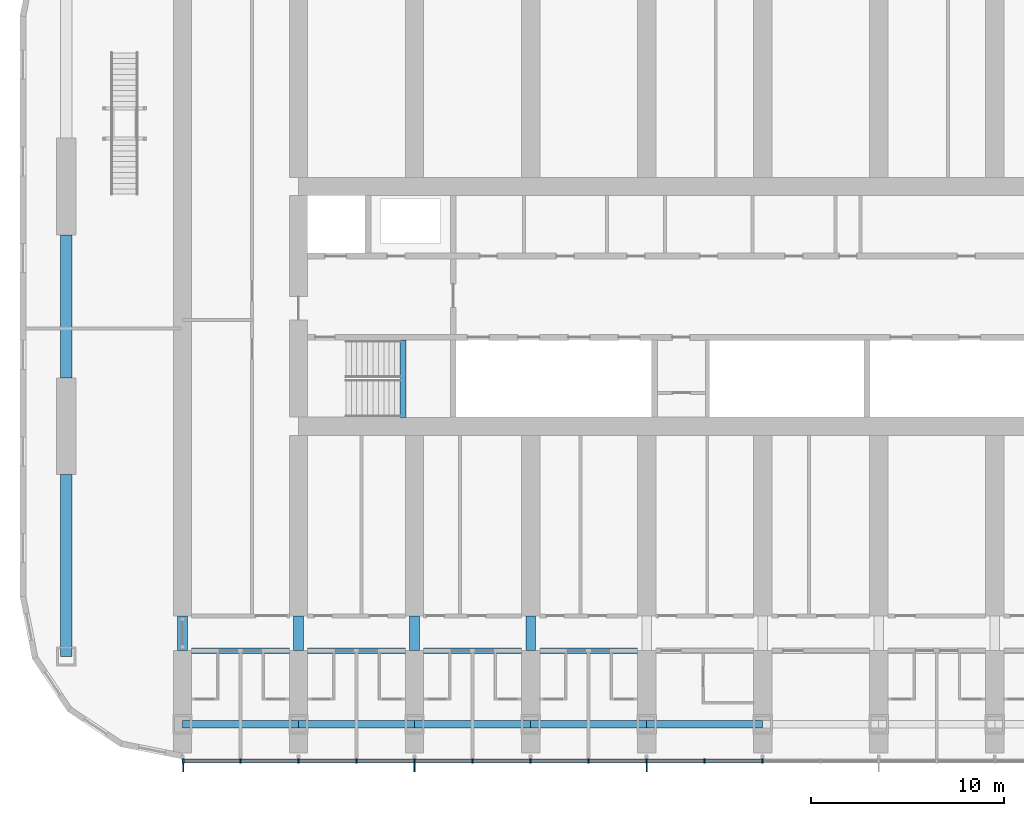
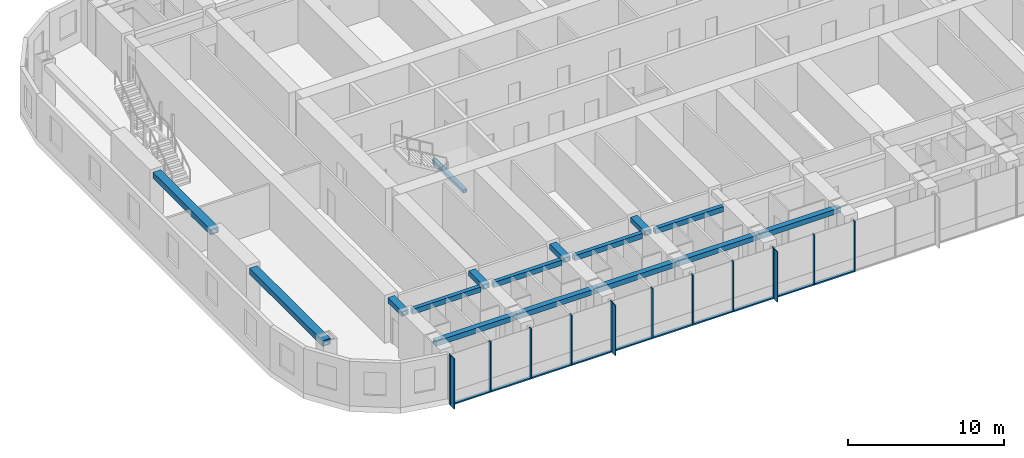
# One storey, part 4 of 25: 24 members, 16 beams, 1 element without a shape of its own.
"""IFC4 building model written with IfcOpenShell, lengths in metres."""

from ifc_helpers import new_model, si_unit, direction, frame, origin, origin_2d, place, context, subcontext, project, spatial, rectangle, hollow_rectangle, extrude, material, material_profile, profile_set, type_object, element, aggregate, save


model = new_model("IFC4")

# Units and contexts
model_context = context("Model", 3, precision=1e-05, world=origin(), true_north=direction((0.0, 1.0)))
body_context = subcontext(model_context, "Body", "Model", "MODEL_VIEW")
ifc_project = project(units=[si_unit("LENGTHUNIT", "METRE"), si_unit("AREAUNIT", "SQUARE_METRE"), si_unit("VOLUMEUNIT", "CUBIC_METRE"), si_unit("PLANEANGLEUNIT", "RADIAN"), si_unit("MASSUNIT", "GRAM", prefix="KILO")], contexts=[model_context])

# Site, building, storey
site_placement = place(None, origin())
site = spatial("IfcSite", under=ifc_project, at=site_placement, CompositionType="ELEMENT")
building_placement = place(site_placement, origin())
building = spatial("IfcBuilding", under=site, at=building_placement, Name="Orbita Commons", CompositionType="ELEMENT")
storey_placement = place(building_placement, frame((0.0, 0.0, 84.39990234375)))
storey = spatial("IfcBuildingStorey", under=building, at=storey_placement, Name="L20", CompositionType="ELEMENT", Elevation=84.39990234375)

# Curtain wall, members
ifc_material_1 = material(Name="Anodised aluminium frame, pale silver", Category="aluminium")
curtain_wall_type = type_object("IfcCurtainWallType", Name="Unitised curtain wall CW-T, vision and spandrel", PredefinedType="NOTDEFINED", material=ifc_material_1)
curtain_wall_placement = place(storey_placement, origin())
curtain_wall = element("IfcCurtainWall", 1, at=curtain_wall_placement, inside=storey, type_object=curtain_wall_type, Name="Curtain wall south L20", PredefinedType="NOTDEFINED")
ifc_material_2 = material(Name="Anodised aluminium, pale silver", Category="aluminium")
ifc_material_profile_1 = material_profile(ifc_material_2, rectangle(XDim=0.080078125, YDim=0.219970703125, at=origin_2d()), Name="AL 80x220")
ifc_profile_set_1 = profile_set([ifc_material_profile_1], Name="Anodised aluminium, pale silver")
member_type_1 = type_object("IfcMemberType", Name="Curtain wall mullion 80x220", PredefinedType="MULLION", material=ifc_profile_set_1)
member_1_placement = place(storey_placement, frame((12.0400390625, 8.489990234375, -0.449951171875), z_axis=(0.0, 0.0, 1.0), x_axis=(1.0, 0.0, 0.0)))
member_1 = element("IfcMember", 2, at=member_1_placement, type_object=member_type_1, Name="Mullion 1 CW-L20-S", PredefinedType="MULLION", context=body_context, shape_type="SweptSolid", body=[
    extrude(rectangle(XDim=0.080078125, YDim=0.219970703125, at=origin_2d()), origin(), (0.0, 0.0, 1.0), 3.949951171875),
])
member_2_placement = place(storey_placement, frame((15.0, 8.489990234375, -0.449951171875), z_axis=(0.0, 0.0, 1.0), x_axis=(1.0, 0.0, 0.0)))
member_2 = element("IfcMember", 3, at=member_2_placement, type_object=member_type_1, Name="Mullion 2 CW-L20-S", PredefinedType="MULLION", context=body_context, shape_type="SweptSolid", body=[
    extrude(rectangle(XDim=0.080078125, YDim=0.219970703125, at=origin_2d()), origin(), (0.0, 0.0, 1.0), 3.949951171875),
])
member_3_placement = place(storey_placement, frame((18.0, 8.489990234375, -0.449951171875), z_axis=(0.0, 0.0, 1.0), x_axis=(1.0, 0.0, 0.0)))
member_3 = element("IfcMember", 4, at=member_3_placement, type_object=member_type_1, Name="Mullion 3 CW-L20-S", PredefinedType="MULLION", context=body_context, shape_type="SweptSolid", body=[
    extrude(rectangle(XDim=0.080078125, YDim=0.219970703125, at=origin_2d()), origin(), (0.0, 0.0, 1.0), 3.949951171875),
])
member_4_placement = place(storey_placement, frame((21.0, 8.489990234375, -0.449951171875), z_axis=(0.0, 0.0, 1.0), x_axis=(1.0, 0.0, 0.0)))
member_4 = element("IfcMember", 5, at=member_4_placement, type_object=member_type_1, Name="Mullion 4 CW-L20-S", PredefinedType="MULLION", context=body_context, shape_type="SweptSolid", body=[
    extrude(rectangle(XDim=0.080078125, YDim=0.219970703125, at=origin_2d()), origin(), (0.0, 0.0, 1.0), 3.949951171875),
])
member_5_placement = place(storey_placement, frame((24.0, 8.489990234375, -0.449951171875), z_axis=(0.0, 0.0, 1.0), x_axis=(1.0, 0.0, 0.0)))
member_5 = element("IfcMember", 6, at=member_5_placement, type_object=member_type_1, Name="Mullion 5 CW-L20-S", PredefinedType="MULLION", context=body_context, shape_type="SweptSolid", body=[
    extrude(rectangle(XDim=0.080078125, YDim=0.219970703125, at=origin_2d()), origin(), (0.0, 0.0, 1.0), 3.949951171875),
])
member_6_placement = place(storey_placement, frame((27.0, 8.489990234375, -0.449951171875), z_axis=(0.0, 0.0, 1.0), x_axis=(1.0, 0.0, 0.0)))
member_6 = element("IfcMember", 7, at=member_6_placement, type_object=member_type_1, Name="Mullion 6 CW-L20-S", PredefinedType="MULLION", context=body_context, shape_type="SweptSolid", body=[
    extrude(rectangle(XDim=0.080078125, YDim=0.219970703125, at=origin_2d()), origin(), (0.0, 0.0, 1.0), 3.949951171875),
])
member_7_placement = place(storey_placement, frame((30.0, 8.489990234375, -0.449951171875), z_axis=(0.0, 0.0, 1.0), x_axis=(1.0, 0.0, 0.0)))
member_7 = element("IfcMember", 8, at=member_7_placement, type_object=member_type_1, Name="Mullion 7 CW-L20-S", PredefinedType="MULLION", context=body_context, shape_type="SweptSolid", body=[
    extrude(rectangle(XDim=0.080078125, YDim=0.219970703125, at=origin_2d()), origin(), (0.0, 0.0, 1.0), 3.949951171875),
])
member_8_placement = place(storey_placement, frame((33.0, 8.489990234375, -0.449951171875), z_axis=(0.0, 0.0, 1.0), x_axis=(1.0, 0.0, 0.0)))
member_8 = element("IfcMember", 9, at=member_8_placement, type_object=member_type_1, Name="Mullion 8 CW-L20-S", PredefinedType="MULLION", context=body_context, shape_type="SweptSolid", body=[
    extrude(rectangle(XDim=0.080078125, YDim=0.219970703125, at=origin_2d()), origin(), (0.0, 0.0, 1.0), 3.949951171875),
])
member_9_placement = place(storey_placement, frame((36.0, 8.489990234375, -0.449951171875), z_axis=(0.0, 0.0, 1.0), x_axis=(1.0, 0.0, 0.0)))
member_9 = element("IfcMember", 10, at=member_9_placement, type_object=member_type_1, Name="Mullion 9 CW-L20-S", PredefinedType="MULLION", context=body_context, shape_type="SweptSolid", body=[
    extrude(rectangle(XDim=0.080078125, YDim=0.219970703125, at=origin_2d()), origin(), (0.0, 0.0, 1.0), 3.949951171875),
])
member_10_placement = place(storey_placement, frame((39.0, 8.489990234375, -0.449951171875), z_axis=(0.0, 0.0, 1.0), x_axis=(1.0, 0.0, 0.0)))
member_10 = element("IfcMember", 11, at=member_10_placement, type_object=member_type_1, Name="Mullion 10 CW-L20-S", PredefinedType="MULLION", context=body_context, shape_type="SweptSolid", body=[
    extrude(rectangle(XDim=0.080078125, YDim=0.219970703125, at=origin_2d()), origin(), (0.0, 0.0, 1.0), 3.949951171875),
])
member_11_placement = place(storey_placement, frame((42.0, 8.489990234375, -0.449951171875), z_axis=(0.0, 0.0, 1.0), x_axis=(1.0, 0.0, 0.0)))
member_11 = element("IfcMember", 12, at=member_11_placement, type_object=member_type_1, Name="Mullion 11 CW-L20-S", PredefinedType="MULLION", context=body_context, shape_type="SweptSolid", body=[
    extrude(rectangle(XDim=0.080078125, YDim=0.219970703125, at=origin_2d()), origin(), (0.0, 0.0, 1.0), 3.949951171875),
])
ifc_material_3 = material(Name="Anodised aluminium, pale silver", Category="aluminium")
ifc_material_profile_2 = material_profile(ifc_material_3, rectangle(XDim=0.219970703125, YDim=0.10009765625, at=origin_2d()), Name="AL 220x100")
ifc_profile_set_2 = profile_set([ifc_material_profile_2], Name="Anodised aluminium, pale silver")
member_type_2 = type_object("IfcMemberType", Name="Curtain wall stack transom 220x100", PredefinedType="USERDEFINED", material=ifc_profile_set_2)
member_12_placement = place(storey_placement, frame((12.080078125, 8.489990234375, -0.39990234375), z_axis=(1.0, 0.0, 0.0), x_axis=(0.0, 1.0, 0.0)))
member_12 = element("IfcMember", 13, at=member_12_placement, type_object=member_type_2, Name="Transom 1.1 CW-L20-S", ObjectType="TRANSOM", PredefinedType="USERDEFINED", context=body_context, shape_type="SweptSolid", body=[
    extrude(rectangle(XDim=0.219970703125, YDim=0.10009765625, at=origin_2d()), origin(), (0.0, 0.0, 1.0), 2.8798828125),
])
member_13_placement = place(storey_placement, frame((15.0400390625, 8.489990234375, -0.39990234375), z_axis=(1.0, 0.0, 0.0), x_axis=(0.0, 1.0, 0.0)))
member_13 = element("IfcMember", 14, at=member_13_placement, type_object=member_type_2, Name="Transom 2.1 CW-L20-S", ObjectType="TRANSOM", PredefinedType="USERDEFINED", context=body_context, shape_type="SweptSolid", body=[
    extrude(rectangle(XDim=0.219970703125, YDim=0.10009765625, at=origin_2d()), origin(), (0.0, 0.0, 1.0), 2.919921875),
])
member_14_placement = place(storey_placement, frame((18.0400390625, 8.489990234375, -0.39990234375), z_axis=(1.0, 0.0, 0.0), x_axis=(0.0, 1.0, 0.0)))
member_14 = element("IfcMember", 15, at=member_14_placement, type_object=member_type_2, Name="Transom 3.1 CW-L20-S", ObjectType="TRANSOM", PredefinedType="USERDEFINED", context=body_context, shape_type="SweptSolid", body=[
    extrude(rectangle(XDim=0.219970703125, YDim=0.10009765625, at=origin_2d()), origin(), (0.0, 0.0, 1.0), 2.919921875),
])
member_15_placement = place(storey_placement, frame((21.0400390625, 8.489990234375, -0.39990234375), z_axis=(1.0, 0.0, 0.0), x_axis=(0.0, 1.0, 0.0)))
member_15 = element("IfcMember", 16, at=member_15_placement, type_object=member_type_2, Name="Transom 4.1 CW-L20-S", ObjectType="TRANSOM", PredefinedType="USERDEFINED", context=body_context, shape_type="SweptSolid", body=[
    extrude(rectangle(XDim=0.219970703125, YDim=0.10009765625, at=origin_2d()), origin(), (0.0, 0.0, 1.0), 2.919921875),
])
member_16_placement = place(storey_placement, frame((24.0400390625, 8.489990234375, -0.39990234375), z_axis=(1.0, 0.0, 0.0), x_axis=(0.0, 1.0, 0.0)))
member_16 = element("IfcMember", 17, at=member_16_placement, type_object=member_type_2, Name="Transom 5.1 CW-L20-S", ObjectType="TRANSOM", PredefinedType="USERDEFINED", context=body_context, shape_type="SweptSolid", body=[
    extrude(rectangle(XDim=0.219970703125, YDim=0.10009765625, at=origin_2d()), origin(), (0.0, 0.0, 1.0), 2.919921875),
])
member_17_placement = place(storey_placement, frame((27.0400390625, 8.489990234375, -0.39990234375), z_axis=(1.0, 0.0, 0.0), x_axis=(0.0, 1.0, 0.0)))
member_17 = element("IfcMember", 18, at=member_17_placement, type_object=member_type_2, Name="Transom 6.1 CW-L20-S", ObjectType="TRANSOM", PredefinedType="USERDEFINED", context=body_context, shape_type="SweptSolid", body=[
    extrude(rectangle(XDim=0.219970703125, YDim=0.10009765625, at=origin_2d()), origin(), (0.0, 0.0, 1.0), 2.919921875),
])
member_18_placement = place(storey_placement, frame((30.0400390625, 8.489990234375, -0.39990234375), z_axis=(1.0, 0.0, 0.0), x_axis=(0.0, 1.0, 0.0)))
member_18 = element("IfcMember", 19, at=member_18_placement, type_object=member_type_2, Name="Transom 7.1 CW-L20-S", ObjectType="TRANSOM", PredefinedType="USERDEFINED", context=body_context, shape_type="SweptSolid", body=[
    extrude(rectangle(XDim=0.219970703125, YDim=0.10009765625, at=origin_2d()), origin(), (0.0, 0.0, 1.0), 2.919921875),
])
member_19_placement = place(storey_placement, frame((33.0400390625, 8.489990234375, -0.39990234375), z_axis=(1.0, 0.0, 0.0), x_axis=(0.0, 1.0, 0.0)))
member_19 = element("IfcMember", 20, at=member_19_placement, type_object=member_type_2, Name="Transom 8.1 CW-L20-S", ObjectType="TRANSOM", PredefinedType="USERDEFINED", context=body_context, shape_type="SweptSolid", body=[
    extrude(rectangle(XDim=0.219970703125, YDim=0.10009765625, at=origin_2d()), origin(), (0.0, 0.0, 1.0), 2.919921875),
])
member_20_placement = place(storey_placement, frame((36.0400390625, 8.489990234375, -0.39990234375), z_axis=(1.0, 0.0, 0.0), x_axis=(0.0, 1.0, 0.0)))
member_20 = element("IfcMember", 21, at=member_20_placement, type_object=member_type_2, Name="Transom 9.1 CW-L20-S", ObjectType="TRANSOM", PredefinedType="USERDEFINED", context=body_context, shape_type="SweptSolid", body=[
    extrude(rectangle(XDim=0.219970703125, YDim=0.10009765625, at=origin_2d()), origin(), (0.0, 0.0, 1.0), 2.919921875),
])
member_21_placement = place(storey_placement, frame((39.0400390625, 8.489990234375, -0.39990234375), z_axis=(1.0, 0.0, 0.0), x_axis=(0.0, 1.0, 0.0)))
member_21 = element("IfcMember", 22, at=member_21_placement, type_object=member_type_2, Name="Transom 10.1 CW-L20-S", ObjectType="TRANSOM", PredefinedType="USERDEFINED", context=body_context, shape_type="SweptSolid", body=[
    extrude(rectangle(XDim=0.219970703125, YDim=0.10009765625, at=origin_2d()), origin(), (0.0, 0.0, 1.0), 2.919921875),
])

# Beams
ifc_material_4 = material(Name="Steel ASTM A572 Gr 50 welded plate", Category="steel")
ifc_material_profile_3 = material_profile(ifc_material_4, hollow_rectangle(XDim=0.300048828125, YDim=0.25, WallThickness=0.02490234375, at=origin_2d()), Name="BOX 250x300x25")
ifc_profile_set_3 = profile_set([ifc_material_profile_3], Name="Steel ASTM A572 Gr 50 welded plate")
beam_type_1 = type_object("IfcBeamType", Name="Stair landing beam steel BOX 250x300x25", PredefinedType="BEAM", material=ifc_profile_set_3)
beam_1_placement = place(storey_placement, frame((23.39990234375, 26.260009765625, 1.550048828125), z_axis=(0.0, 1.0, 0.0), x_axis=(-1.0, 0.0, 0.0)))
element("IfcBeam", 23, at=beam_1_placement, inside=storey, type_object=beam_type_1, Name="Stair S1 landing beam L20 1", PredefinedType="BEAM", context=body_context, shape_type="SweptSolid", body=[
    extrude(hollow_rectangle(XDim=0.300048828125, YDim=0.25, WallThickness=0.02490234375, at=origin_2d()), origin(), (0.0, 0.0, 1.0), 4.0048828125),
])
ifc_material_5 = material(Name="Steel ASTM A572 Gr 50 welded plate", Category="steel")
ifc_material_profile_4 = material_profile(ifc_material_5, hollow_rectangle(XDim=0.300048828125, YDim=0.39990234375, WallThickness=0.0400390625, at=origin_2d()), Name="BOX 400x300x40")
ifc_profile_set_4 = profile_set([ifc_material_profile_4], Name="Steel ASTM A572 Gr 50 welded plate")
beam_type_2 = type_object("IfcBeamType", Name="Steel corridor link BOX 400x300x40", PredefinedType="BEAM", material=ifc_profile_set_4)
for number, where, z_axis, x_axis, name in (
    (24, (12.47509765625, 14.199951171875, 3.300048828125), (1.0, 0.0, 0.0), (0.0, 1.0, 0.0), "Corridor beam SA 3-4 L20"),
    (25, (18.47509765625, 14.199951171875, 3.300048828125), (1.0, 0.0, 0.0), (0.0, 1.0, 0.0), "Corridor beam SA 4-5 L20"),
    (26, (24.47509765625, 14.199951171875, 3.300048828125), (1.0, 0.0, 0.0), (0.0, 1.0, 0.0), "Corridor beam SA 5-6 L20"),
    (27, (30.47509765625, 14.199951171875, 3.300048828125), (1.0, 0.0, 0.0), (0.0, 1.0, 0.0), "Corridor beam SA 6-7 L20"),
):
    element("IfcBeam", number, at=place(storey_placement, frame(where, z_axis=z_axis, x_axis=x_axis)), inside=storey, type_object=beam_type_2, Name=name, PredefinedType="BEAM", context=body_context, shape_type="SweptSolid", body=[
        extrude(hollow_rectangle(XDim=0.300048828125, YDim=0.39990234375, WallThickness=0.0400390625, at=origin_2d()), origin(), (0.0, 0.0, 1.0), 5.0498046875),
    ])
ifc_material_6 = material(Name="Steel ASTM A572 Gr 50 welded plate", Category="steel")
ifc_material_profile_5 = material_profile(ifc_material_6, hollow_rectangle(XDim=0.5, YDim=0.39990234375, WallThickness=0.050048828125, at=origin_2d()), Name="BOX 400x500x50")
ifc_profile_set_5 = profile_set([ifc_material_profile_5], Name="Steel ASTM A572 Gr 50 welded plate")
beam_type_3 = type_object("IfcBeamType", Name="Steel coupling link BOX 400x500x50", PredefinedType="LINTEL", material=ifc_profile_set_5)
for number, where, z_axis, x_axis, name in (
    (28, (12.0, 14.199951171875, 3.300048828125), (0.0, 1.0, 0.0), (-1.0, 0.0, 0.0), "Coupling beam 3 south L20"),
    (29, (18.0, 14.199951171875, 3.300048828125), (0.0, 1.0, 0.0), (-1.0, 0.0, 0.0), "Coupling beam 4 south L20"),
    (30, (24.0, 14.199951171875, 3.300048828125), (0.0, 1.0, 0.0), (-1.0, 0.0, 0.0), "Coupling beam 5 south L20"),
    (31, (30.0, 14.199951171875, 3.300048828125), (0.0, 1.0, 0.0), (-1.0, 0.0, 0.0), "Coupling beam 6 south L20"),
):
    element("IfcBeam", number, at=place(storey_placement, frame(where, z_axis=z_axis, x_axis=x_axis)), inside=storey, type_object=beam_type_3, Name=name, PredefinedType="LINTEL", context=body_context, shape_type="SweptSolid", body=[
        extrude(hollow_rectangle(XDim=0.5, YDim=0.39990234375, WallThickness=0.050048828125, at=origin_2d()), origin(), (0.0, 0.0, 1.0), 1.800048828125),
    ])
ifc_material_7 = material(Name="Steel ASTM A572 Gr 50 welded plate", Category="steel")
ifc_material_profile_6 = material_profile(ifc_material_7, hollow_rectangle(XDim=0.60009765625, YDim=0.449951171875, WallThickness=0.06005859375, at=origin_2d()), Name="BOX 450x600x60")
ifc_profile_set_6 = profile_set([ifc_material_profile_6], Name="Steel ASTM A572 Gr 50 welded plate")
beam_type_4 = type_object("IfcBeamType", Name="Steel end frame link BOX 450x600x60", PredefinedType="BEAM", material=ifc_profile_set_6)
beam_2_placement = place(storey_placement, frame((6.0, 13.89990234375, 3.275146484375), z_axis=(0.0, 1.0, 0.0), x_axis=(-1.0, 0.0, 0.0)))
element("IfcBeam", 32, at=beam_2_placement, inside=storey, type_object=beam_type_4, Name="End frame beam 2 B-C L20", PredefinedType="BEAM", context=body_context, shape_type="SweptSolid", body=[
    extrude(hollow_rectangle(XDim=0.60009765625, YDim=0.449951171875, WallThickness=0.06005859375, at=origin_2d()), origin(), (0.0, 0.0, 1.0), 9.400146484375),
])
beam_3_placement = place(storey_placement, frame((6.0, 28.300048828125, 3.275146484375), z_axis=(0.0, 1.0, 0.0), x_axis=(-1.0, 0.0, 0.0)))
element("IfcBeam", 33, at=beam_3_placement, inside=storey, type_object=beam_type_4, Name="End frame beam 2 C-D L20", PredefinedType="BEAM", context=body_context, shape_type="SweptSolid", body=[
    extrude(hollow_rectangle(XDim=0.60009765625, YDim=0.449951171875, WallThickness=0.06005859375, at=origin_2d()), origin(), (0.0, 0.0, 1.0), 7.39990234375),
])
ifc_material_8 = material(Name="Steel ASTM A572 Gr 50 welded plate", Category="steel")
ifc_material_profile_7 = material_profile(ifc_material_8, hollow_rectangle(XDim=0.39990234375, YDim=0.39990234375, WallThickness=0.0400390625, at=origin_2d()), Name="BOX 400x400x40")
ifc_profile_set_7 = profile_set([ifc_material_profile_7], Name="Steel ASTM A572 Gr 50 welded plate")
beam_type_5 = type_object("IfcBeamType", Name="Steel spandrel BOX 400x400x40", PredefinedType="SPANDREL", material=ifc_profile_set_7)
for number, where, z_axis, x_axis, name in (
    (34, (12.0, 10.39990234375, 3.300048828125), (1.0, 0.0, 0.0), (0.0, 1.0, 0.0), "Spandrel beam B 3-4 L20"),
    (35, (18.0, 10.39990234375, 3.300048828125), (1.0, 0.0, 0.0), (0.0, 1.0, 0.0), "Spandrel beam B 4-5 L20"),
    (36, (24.0, 10.39990234375, 3.300048828125), (1.0, 0.0, 0.0), (0.0, 1.0, 0.0), "Spandrel beam B 5-6 L20"),
    (37, (30.0, 10.39990234375, 3.300048828125), (1.0, 0.0, 0.0), (0.0, 1.0, 0.0), "Spandrel beam B 6-7 L20"),
    (38, (36.0, 10.39990234375, 3.300048828125), (1.0, 0.0, 0.0), (0.0, 1.0, 0.0), "Spandrel beam B 7-8 L20"),
):
    element("IfcBeam", number, at=place(storey_placement, frame(where, z_axis=z_axis, x_axis=x_axis)), inside=storey, type_object=beam_type_5, Name=name, PredefinedType="SPANDREL", context=body_context, shape_type="SweptSolid", body=[
        extrude(hollow_rectangle(XDim=0.39990234375, YDim=0.39990234375, WallThickness=0.0400390625, at=origin_2d()), origin(), (0.0, 0.0, 1.0), 6.0),
    ])

# Member
ifc_material_9 = material(Name="Anodised aluminium, pale silver", Category="aluminium")
ifc_material_profile_8 = material_profile(ifc_material_9, rectangle(XDim=0.06005859375, YDim=0.449951171875, at=origin_2d()), Name="FIN 60x450")
ifc_profile_set_8 = profile_set([ifc_material_profile_8], Name="Anodised aluminium, pale silver")
member_type_3 = type_object("IfcMemberType", Name="Vertical fin 60x450 pale aluminium", PredefinedType="USERDEFINED", material=ifc_profile_set_8)
member_22_placement = place(storey_placement, frame((12.0400390625, 8.155029296875, -0.449951171875), z_axis=(0.0, 0.0, 1.0), x_axis=(1.0, 0.0, 0.0)))
member_22 = element("IfcMember", 39, at=member_22_placement, type_object=member_type_3, Name="Fin 1 CW-L20-S", ObjectType="FIN", PredefinedType="USERDEFINED", context=body_context, shape_type="SweptSolid", body=[
    extrude(rectangle(XDim=0.06005859375, YDim=0.449951171875, at=origin_2d()), origin(), (0.0, 0.0, 1.0), 3.949951171875),
])

member_23_placement = place(storey_placement, frame((24.0, 8.155029296875, -0.449951171875), z_axis=(0.0, 0.0, 1.0), x_axis=(1.0, 0.0, 0.0)))
member_23 = element("IfcMember", 40, at=member_23_placement, type_object=member_type_3, Name="Fin 5 CW-L20-S", ObjectType="FIN", PredefinedType="USERDEFINED", context=body_context, shape_type="SweptSolid", body=[
    extrude(rectangle(XDim=0.06005859375, YDim=0.449951171875, at=origin_2d()), origin(), (0.0, 0.0, 1.0), 3.949951171875),
])

member_24_placement = place(storey_placement, frame((36.0, 8.155029296875, -0.449951171875), z_axis=(0.0, 0.0, 1.0), x_axis=(1.0, 0.0, 0.0)))
member_24 = element("IfcMember", 41, at=member_24_placement, type_object=member_type_3, Name="Fin 9 CW-L20-S", ObjectType="FIN", PredefinedType="USERDEFINED", context=body_context, shape_type="SweptSolid", body=[
    extrude(rectangle(XDim=0.06005859375, YDim=0.449951171875, at=origin_2d()), origin(), (0.0, 0.0, 1.0), 3.949951171875),
])

aggregate(curtain_wall, [member_1, member_22, member_2, member_3, member_4, member_5, member_23, member_6, member_7, member_8, member_9, member_24, member_10, member_11, member_12, member_13, member_14, member_15, member_16, member_17, member_18, member_19, member_20, member_21])

save(model, "model.ifc")
